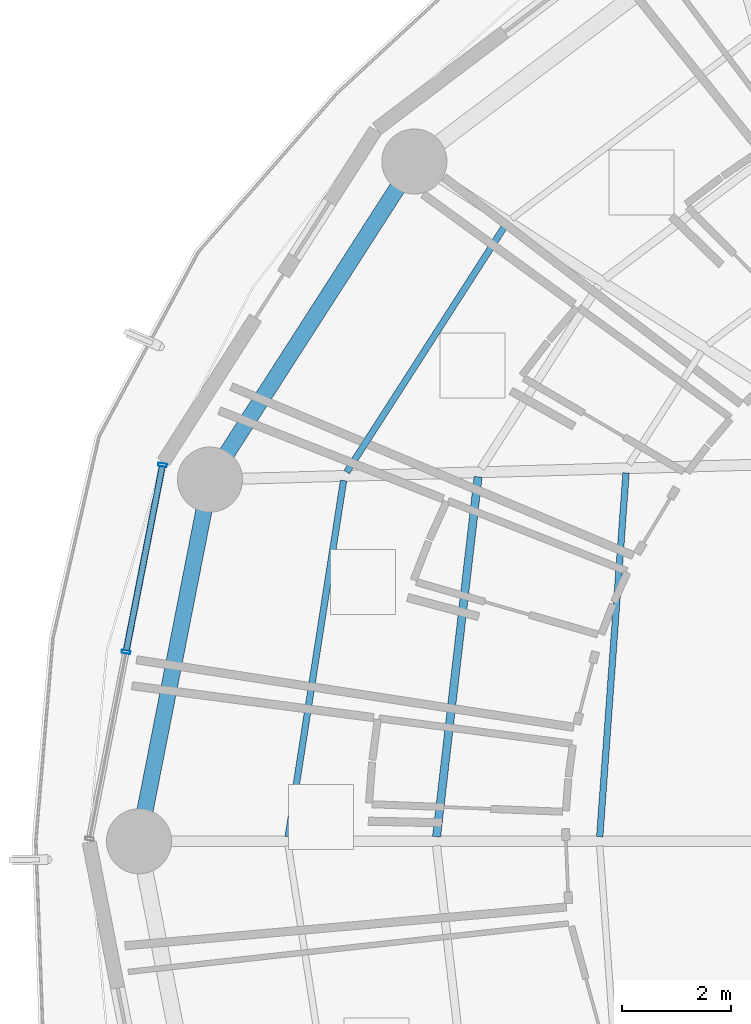
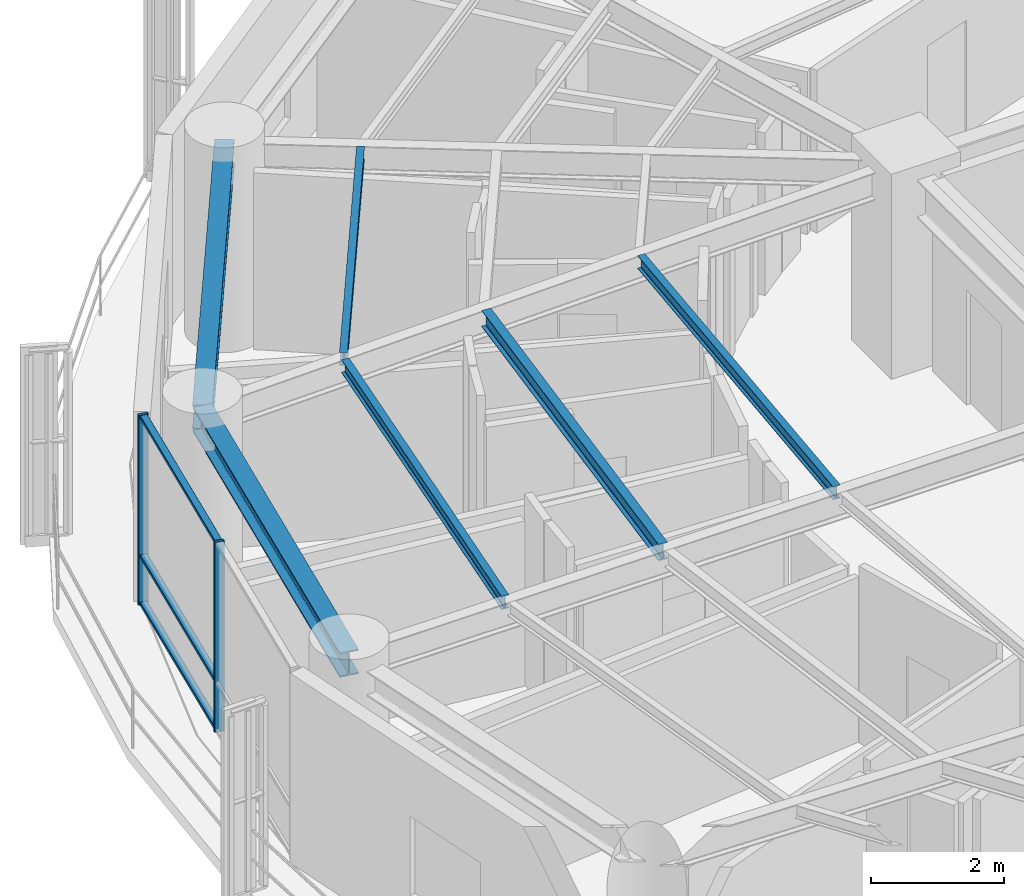
# One storey, part 8 of 27: 6 beams, 5 members, 1 element without a shape of its own.
"""IFC4 building model written with IfcOpenShell, lengths in metres."""

from ifc_helpers import new_model, si_unit, direction, frame, origin, origin_2d, place, context, subcontext, project, spatial, hollow_rectangle, i_section, extrude, material, layer, layer_set, material_profile, profile_set, type_object, element, aggregate, save


model = new_model("IFC4")

# Units and contexts
model_context = context("Model", 3, precision=1e-05, world=origin(), true_north=direction((0.0, 1.0)))
body_context = subcontext(model_context, "Body", "Model", "MODEL_VIEW")
ifc_project = project(units=[si_unit("LENGTHUNIT", "METRE"), si_unit("AREAUNIT", "SQUARE_METRE"), si_unit("VOLUMEUNIT", "CUBIC_METRE"), si_unit("PLANEANGLEUNIT", "RADIAN"), si_unit("MASSUNIT", "GRAM", prefix="KILO")], contexts=[model_context])

# Site, building, storey
site_placement = place(None, origin())
site = spatial("IfcSite", under=ifc_project, at=site_placement, CompositionType="ELEMENT")
building_placement = place(site_placement, origin())
building = spatial("IfcBuilding", under=site, at=building_placement, Name="Kelanora Arch Commons", CompositionType="ELEMENT")
storey_placement = place(building_placement, frame((0.0, 0.0, 169.35009765625)))
storey = spatial("IfcBuildingStorey", under=building, at=storey_placement, Name="L43", CompositionType="ELEMENT", Elevation=169.35009765625)

# Beams
ifc_material_1 = material(Name="Steel S355", Category="steel")
ifc_material_profile_1 = material_profile(ifc_material_1, i_section(OverallWidth=0.14990234375, OverallDepth=0.300048828125, WebThickness=0.007080078125, FlangeThickness=0.0107421875, FilletRadius=0.014892578125, at=origin_2d()), Name="IPE300")
ifc_profile_set_1 = profile_set([ifc_material_profile_1], Name="Steel S355")
beam_type_1 = type_object("IfcBeamType", Name="BM-JST-01", PredefinedType="JOIST", material=ifc_profile_set_1)
beam_1_placement = place(storey_placement, frame((58.56689453125, 64.713134765625, 3.33984375), z_axis=(-0.114667159005, -0.9934039675, 0.0), x_axis=(0.9934039675, -0.114667159005, 0.0)))
element("IfcBeam", 1, at=beam_1_placement, inside=storey, type_object=beam_type_1, Name="Secondary Chord Joist BJB-16 L43", PredefinedType="JOIST", context=body_context, shape_type="SweptSolid", body=[
    extrude(i_section(OverallWidth=0.14990234375, OverallDepth=0.300048828125, WebThickness=0.007080078125, FlangeThickness=0.0107421875, FilletRadius=0.014892578125, at=origin_2d()), origin(), (0.0, 0.0, 1.0), 6.672607421875),
])
ifc_material_profile_2 = material_profile(ifc_material_1, i_section(OverallWidth=0.1201171875, OverallDepth=0.239990234375, WebThickness=0.006103515625, FlangeThickness=0.009765625, FilletRadius=0.014892578125, at=origin_2d()), Name="IPE240")
ifc_profile_set_2 = profile_set([ifc_material_profile_2], Name="Steel S355")
beam_type_2 = type_object("IfcBeamType", Name="BM-JST-02", PredefinedType="JOIST", material=ifc_profile_set_2)
beam_2_placement = place(storey_placement, frame((59.06787109375, 69.345703125, 3.369873046875), z_axis=(-0.540581678156, -0.841291536414, 0.0), x_axis=(0.841291536414, -0.540581678156, 0.0)))
element("IfcBeam", 2, at=beam_2_placement, inside=storey, type_object=beam_type_2, Name="Secondary Chord Joist BJC-14 L43", PredefinedType="JOIST", context=body_context, shape_type="SweptSolid", body=[
    extrude(i_section(OverallWidth=0.1201171875, OverallDepth=0.239990234375, WebThickness=0.006103515625, FlangeThickness=0.009765625, FilletRadius=0.014892578125, at=origin_2d()), origin(), (0.0, 0.0, 1.0), 5.4013671875),
])
beam_3_placement = place(storey_placement, frame((61.292236328125, 64.787109375, 3.369873046875), z_axis=(-0.072117123738, -0.997396170267, 0.0), x_axis=(0.997396170267, -0.072117123738, 0.0)))
element("IfcBeam", 3, at=beam_3_placement, inside=storey, type_object=beam_type_2, Name="Secondary Chord Joist BJA-16 L43", PredefinedType="JOIST", context=body_context, shape_type="SweptSolid", body=[
    extrude(i_section(OverallWidth=0.1201171875, OverallDepth=0.239990234375, WebThickness=0.006103515625, FlangeThickness=0.009765625, FilletRadius=0.014892578125, at=origin_2d()), origin(), (0.0, 0.0, 1.0), 6.719970703125),
])
beam_4_placement = place(storey_placement, frame((56.0888671875, 64.64599609375, 3.369873046875), z_axis=(-0.153562625853, -0.988138917329, 0.0), x_axis=(0.988138917329, -0.153562625853, 0.0)))
element("IfcBeam", 4, at=beam_4_placement, inside=storey, type_object=beam_type_2, Name="Secondary Chord Joist BJC-16 L43", PredefinedType="JOIST", context=body_context, shape_type="SweptSolid", body=[
    extrude(i_section(OverallWidth=0.1201171875, OverallDepth=0.239990234375, WebThickness=0.006103515625, FlangeThickness=0.009765625, FilletRadius=0.014892578125, at=origin_2d()), origin(), (0.0, 0.0, 1.0), 6.640869140625),
])
ifc_material_profile_3 = material_profile(ifc_material_1, i_section(OverallWidth=0.300048828125, OverallDepth=0.449951171875, WebThickness=0.013916015625, FlangeThickness=0.02587890625, FilletRadius=0.027099609375, at=origin_2d()), Name="HEB450")
ifc_profile_set_3 = profile_set([ifc_material_profile_3], Name="Steel S355")
beam_type_3 = type_object("IfcBeamType", Name="BM-SPN-Z3", PredefinedType="SPANDREL", material=ifc_profile_set_3)
beam_5_placement = place(storey_placement, frame((57.39208984375, 70.521484375, 3.264892578125), z_axis=(-0.540576852469, -0.841294637196, 0.0), x_axis=(0.841294637196, -0.540576852469, 0.0)))
element("IfcBeam", 5, at=beam_5_placement, inside=storey, type_object=beam_type_3, Name="Perimeter Spandrel Beam BS-14 L43", PredefinedType="SPANDREL", context=body_context, shape_type="SweptSolid", body=[
    extrude(i_section(OverallWidth=0.300048828125, OverallDepth=0.449951171875, WebThickness=0.013916015625, FlangeThickness=0.02587890625, FilletRadius=0.027099609375, at=origin_2d()), origin(), (0.0, 0.0, 1.0), 6.964111328125),
])
beam_6_placement = place(storey_placement, frame((53.62744140625, 64.66259765625, 3.264892578125), z_axis=(-0.192553643556, -0.981286448675, 0.0), x_axis=(0.981286448675, -0.192553643556, 0.0)))
element("IfcBeam", 6, at=beam_6_placement, inside=storey, type_object=beam_type_3, Name="Perimeter Spandrel Beam BS-16 L43", PredefinedType="SPANDREL", context=body_context, shape_type="SweptSolid", body=[
    extrude(i_section(OverallWidth=0.300048828125, OverallDepth=0.449951171875, WebThickness=0.013916015625, FlangeThickness=0.02587890625, FilletRadius=0.027099609375, at=origin_2d()), origin(), (0.0, 0.0, 1.0), 6.78955078125),
])

# Curtain wall, members
ifc_material_2 = material(Name="Terracotta ceramic-fritted low-E glass and aluminium", Category="masonry")
ifc_layer = layer(ifc_material_2, 0.175048828125)
ifc_layer_set = layer_set([ifc_layer], Name="Terracotta ceramic-fritted low-E glass and aluminium")
curtain_wall_type = type_object("IfcCurtainWallType", Name="CW-SYS-02", PredefinedType="NOTDEFINED", material=ifc_layer_set)
curtain_wall_placement = place(storey_placement, origin())
curtain_wall = element("IfcCurtainWall", 7, at=curtain_wall_placement, inside=storey, type_object=curtain_wall_type, Name="Unitised Curtain Wall L43-B08", PredefinedType="NOTDEFINED")
ifc_material_3 = material(Name="Powder-coated aluminium terracotta", Category="masonry")
ifc_material_profile_4 = material_profile(ifc_material_3, hollow_rectangle(XDim=0.159912109375, YDim=0.06005859375, WallThickness=0.0048828125, InnerFilletRadius=0.0048828125, OuterFilletRadius=0.010009765625, at=origin_2d()), Name="CWM160x60")
ifc_profile_set_4 = profile_set([ifc_material_profile_4], Name="Powder-coated aluminium terracotta")
member_type_1 = type_object("IfcMemberType", Name="CWM-STD", PredefinedType="MULLION", material=ifc_profile_set_4)
member_1_placement = place(storey_placement, frame((52.754150390625, 64.93310546875, 0.0), z_axis=(0.0, 0.0, 1.0), x_axis=(0.981452557718, -0.191705182375, 0.0)))
member_1 = element("IfcMember", 8, at=member_1_placement, type_object=member_type_1, Name="CW-02 mullion 1", PredefinedType="MULLION", context=body_context, shape_type="SweptSolid", body=[
    extrude(hollow_rectangle(XDim=0.159912109375, YDim=0.06005859375, WallThickness=0.0048828125, InnerFilletRadius=0.0048828125, OuterFilletRadius=0.010009765625, at=origin_2d()), origin(), (0.0, 0.0, 1.0), 3.474853515625),
])
member_2_placement = place(storey_placement, frame((52.08154296875, 61.488525390625, 0.0), z_axis=(0.0, 0.0, 1.0), x_axis=(0.981452557718, -0.191705182375, 0.0)))
member_2 = element("IfcMember", 9, at=member_2_placement, type_object=member_type_1, Name="CW-02 mullion 2", PredefinedType="MULLION", context=body_context, shape_type="SweptSolid", body=[
    extrude(hollow_rectangle(XDim=0.159912109375, YDim=0.06005859375, WallThickness=0.0048828125, InnerFilletRadius=0.0048828125, OuterFilletRadius=0.010009765625, at=origin_2d()), origin(), (0.0, 0.0, 1.0), 3.474853515625),
])
ifc_material_profile_5 = material_profile(ifc_material_3, hollow_rectangle(XDim=0.1201171875, YDim=0.06005859375, WallThickness=0.0048828125, InnerFilletRadius=0.0048828125, OuterFilletRadius=0.010009765625, at=origin_2d()), Name="CWT120x60")
ifc_profile_set_5 = profile_set([ifc_material_profile_5], Name="Powder-coated aluminium terracotta")
member_type_2 = type_object("IfcMemberType", Name="CWT-STD", PredefinedType="USERDEFINED", material=ifc_profile_set_5)
member_3_placement = place(storey_placement, frame((52.74853515625, 64.903564453125, 0.02978515625), z_axis=(-0.191731523726, -0.981447412147, 0.0), x_axis=(0.981447412147, -0.191731523726, 0.0)))
member_3 = element("IfcMember", 10, at=member_3_placement, type_object=member_type_2, Name="CW-02 transom 1.1", ObjectType="TRANSOM", PredefinedType="USERDEFINED", context=body_context, shape_type="SweptSolid", body=[
    extrude(hollow_rectangle(XDim=0.1201171875, YDim=0.06005859375, WallThickness=0.0048828125, InnerFilletRadius=0.0048828125, OuterFilletRadius=0.010009765625, at=origin_2d()), origin(), (0.0, 0.0, 1.0), 3.449462890625),
])
member_4_placement = place(storey_placement, frame((52.74853515625, 64.903564453125, 0.89990234375), z_axis=(-0.191731523726, -0.981447412147, 0.0), x_axis=(0.981447412147, -0.191731523726, 0.0)))
member_4 = element("IfcMember", 11, at=member_4_placement, type_object=member_type_2, Name="CW-02 transom 1.2", ObjectType="TRANSOM", PredefinedType="USERDEFINED", context=body_context, shape_type="SweptSolid", body=[
    extrude(hollow_rectangle(XDim=0.1201171875, YDim=0.06005859375, WallThickness=0.0048828125, InnerFilletRadius=0.0048828125, OuterFilletRadius=0.010009765625, at=origin_2d()), origin(), (0.0, 0.0, 1.0), 3.449462890625),
])
member_5_placement = place(storey_placement, frame((52.74853515625, 64.903564453125, 3.44482421875), z_axis=(-0.191731523726, -0.981447412147, 0.0), x_axis=(0.981447412147, -0.191731523726, 0.0)))
member_5 = element("IfcMember", 12, at=member_5_placement, type_object=member_type_2, Name="CW-02 transom 1.3", ObjectType="TRANSOM", PredefinedType="USERDEFINED", context=body_context, shape_type="SweptSolid", body=[
    extrude(hollow_rectangle(XDim=0.1201171875, YDim=0.06005859375, WallThickness=0.0048828125, InnerFilletRadius=0.0048828125, OuterFilletRadius=0.010009765625, at=origin_2d()), origin(), (0.0, 0.0, 1.0), 3.449462890625),
])
aggregate(curtain_wall, [member_1, member_2, member_3, member_4, member_5])

save(model, "model.ifc")
